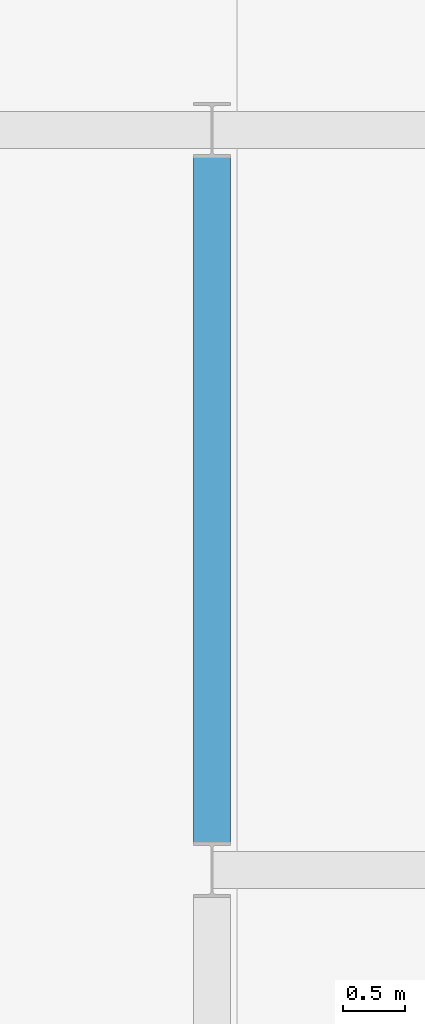
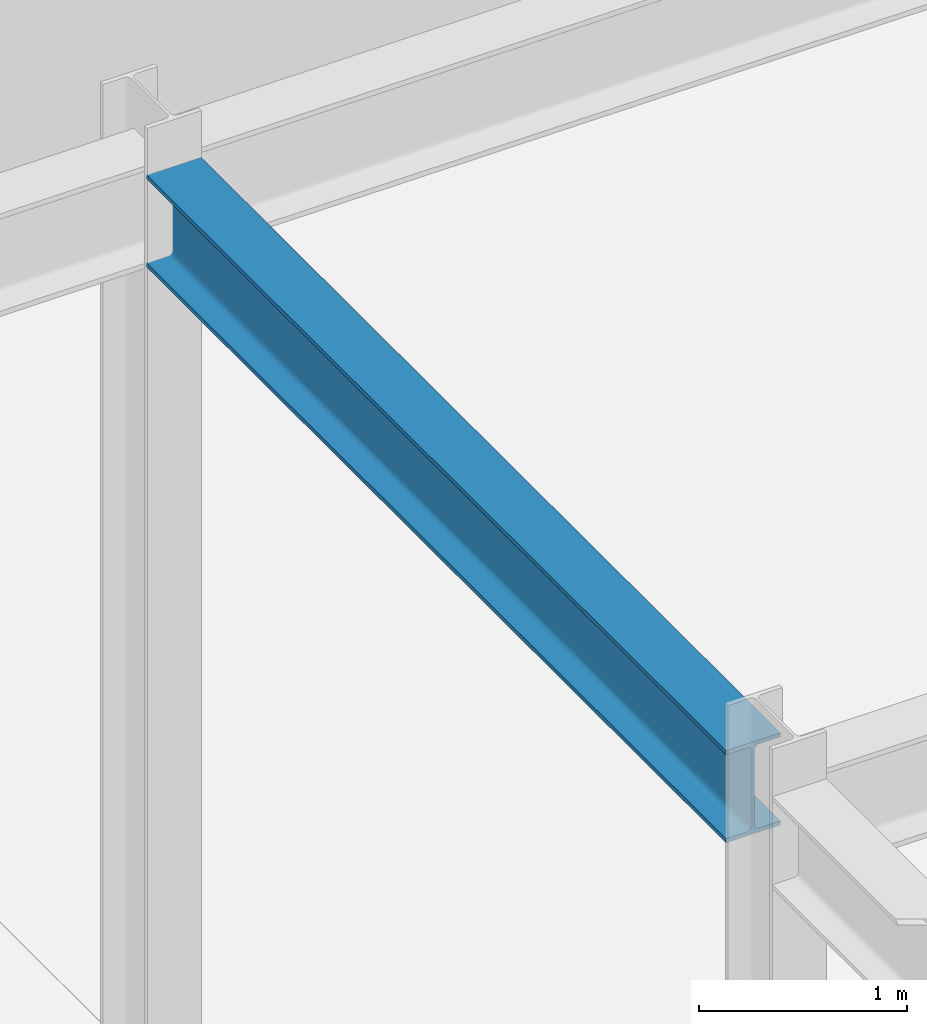
# One storey, part 24 of 146: 1 beam.
"""IFC4 building model written with IfcOpenShell, lengths in metres."""

from ifc_helpers import new_model, si_unit, direction, frame, origin, origin_2d, place, context, subcontext, project, spatial, i_section, extrude, material, material_profile, profile_set, type_object, element, save


model = new_model("IFC4")

# Units and contexts
model_context = context("Model", 3, precision=1e-05, world=origin(), true_north=direction((0.0, 1.0)))
body_context = subcontext(model_context, "Body", "Model", "MODEL_VIEW")
ifc_project = project(units=[si_unit("LENGTHUNIT", "METRE"), si_unit("AREAUNIT", "SQUARE_METRE"), si_unit("VOLUMEUNIT", "CUBIC_METRE"), si_unit("PLANEANGLEUNIT", "RADIAN"), si_unit("MASSUNIT", "GRAM", prefix="KILO")], contexts=[model_context])

# Site, building, storey
site_placement = place(None, origin())
site = spatial("IfcSite", under=ifc_project, at=site_placement, CompositionType="ELEMENT")
building_placement = place(site_placement, origin())
building = spatial("IfcBuilding", under=site, at=building_placement, Name="Kaldris Quays Convention Centre", CompositionType="ELEMENT")
storey_placement = place(building_placement, origin())
storey = spatial("IfcBuildingStorey", under=building, at=storey_placement, Name="L00", CompositionType="ELEMENT", Elevation=0.0)

# Beam
ifc_material = material(Name="Steel S355J2", Category="steel")
ifc_material_profile = material_profile(ifc_material, i_section(OverallWidth=0.300048828125, OverallDepth=0.5400390625, WebThickness=0.012451171875, FlangeThickness=0.02392578125, FilletRadius=0.027099609375, at=origin_2d()), Name="HEA 550")
ifc_profile_set = profile_set([ifc_material_profile], Name="Steel S355J2")
beam_type = type_object("IfcBeamType", Name="STRUCTURAL BEAM BM13", PredefinedType="BEAM", material=ifc_profile_set)
beam_placement = place(storey_placement, frame((47.0, 28.218994140625, 5.452880859375), z_axis=(0.0, 1.0, 0.0), x_axis=(-1.0, 0.0, 0.0)))
element("IfcBeam", 1, at=beam_placement, inside=storey, type_object=beam_type, Name="L00 Girder BM13 36", PredefinedType="BEAM", context=body_context, shape_type="SweptSolid", body=[
    extrude(i_section(OverallWidth=0.300048828125, OverallDepth=0.5400390625, WebThickness=0.012451171875, FlangeThickness=0.02392578125, FilletRadius=0.027099609375, at=origin_2d()), origin(), (0.0, 0.0, 1.0), 5.56201171875),
])

save(model, "model.ifc")
